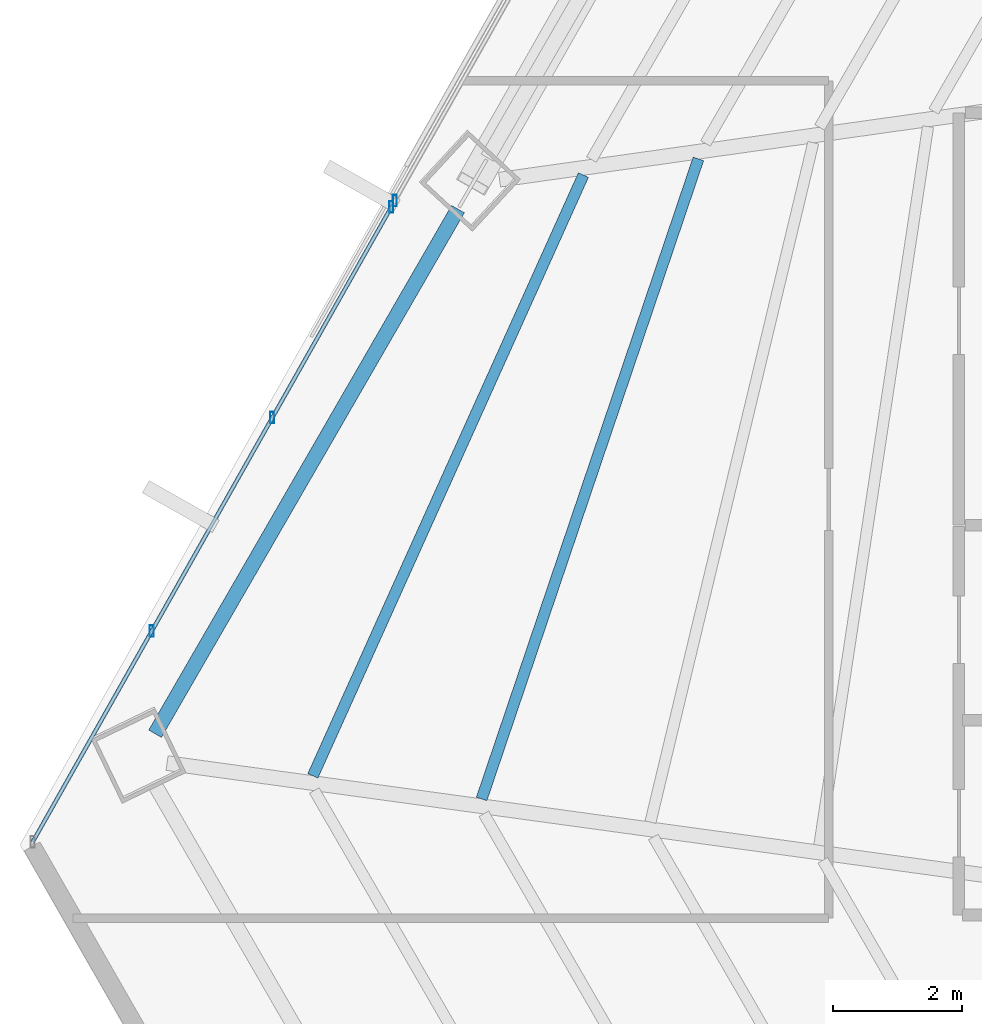
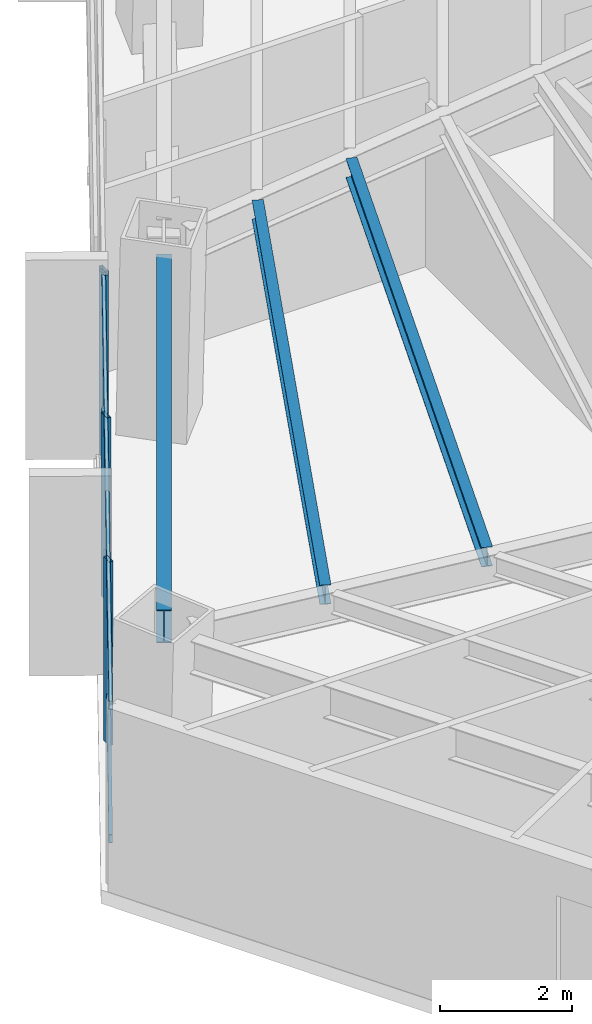
# One storey, part 11 of 35: 6 members, 3 beams, 2 elements without a shape of their own.
"""IFC4 building model written with IfcOpenShell, lengths in metres."""

import ifcopenshell
import ifcopenshell.guid

model = None  # the IFC model being written
_history = None  # IfcOwnerHistory: only IFC2X3 demands one
_inside = {}  # id of a spatial element -> (the spatial element, [elements in it])
_under = {}  # id of a project, library or spatial element -> (it, [spatial elements below it])
_declared = {}  # id of a project -> (the project, [libraries it declares])
_typed = {}  # id of a type object -> (the type object, [elements of that type])
_made_of = {}  # id of a material, layer set ... -> (it, [elements and type objects made of it])


def new_model(schema):
    """Start an empty IFC model of exactly this schema.

    Asked for "IFC4X3", IfcOpenShell would pick the latest addendum, in which some entities
    have other attributes; the version numbers below select the first issue.
    IFC2X3 requires an IfcOwnerHistory on every rooted entity: one is made here for all.
    """
    global model, _history
    if schema == "IFC4X3":
        model = ifcopenshell.file(schema_version=(4, 3, 0, 0))
    else:
        model = ifcopenshell.file(schema=schema)
    _inside.clear()
    _under.clear()
    _declared.clear()
    _typed.clear()
    _made_of.clear()
    _history = None
    if model.schema == "IFC2X3":
        org = make("IfcOrganization", Name="unknown")
        user = make(
            "IfcPersonAndOrganization",
            ThePerson=make("IfcPerson", FamilyName="unknown"),
            TheOrganization=org,
        )
        app = make(
            "IfcApplication",
            ApplicationDeveloper=org,
            Version="unknown",
            ApplicationFullName="unknown",
            ApplicationIdentifier="unknown",
        )
        _history = make(
            "IfcOwnerHistory",
            OwningUser=user,
            OwningApplication=app,
            ChangeAction="ADDED",
            CreationDate=0,
        )
    return model


def make(cls, **values):
    """One entity of the class cls with the attributes given. An attribute that is None is left unset."""
    return model.create_entity(
        cls, **{name: value for name, value in values.items() if value is not None}
    )


def rooted(cls, **values):
    """An entity with a GlobalId (a new one), such as an element, a storey or a relation."""
    return make(cls, GlobalId=ifcopenshell.guid.new(), OwnerHistory=_history, **values)


def si_unit(unit_type, name, prefix=None):
    """IfcSIUnit, for example si_unit("LENGTHUNIT", "METRE", prefix="MILLI")."""
    return make("IfcSIUnit", UnitType=unit_type, Prefix=prefix, Name=name)


def assignment(units):
    """IfcUnitAssignment: the units of a project."""
    return None if units is None else make("IfcUnitAssignment", Units=units)


def point(xyz):
    """IfcCartesianPoint."""
    return None if xyz is None else make("IfcCartesianPoint", Coordinates=xyz)


def direction(xyz):
    """IfcDirection."""
    return None if xyz is None else make("IfcDirection", DirectionRatios=xyz)


def frame(location, z_axis=None, x_axis=None):
    """IfcAxis2Placement3D, a coordinate frame: its origin and axes. An axis left out is left unset."""
    return make(
        "IfcAxis2Placement3D",
        Location=point(location),
        Axis=direction(z_axis),
        RefDirection=direction(x_axis),
    )


def frame_2d(location, x_axis=None):
    """IfcAxis2Placement2D, a coordinate frame in the plane: its origin and x axis."""
    return make(
        "IfcAxis2Placement2D", Location=point(location), RefDirection=direction(x_axis)
    )


def origin():
    """The frame at (0, 0, 0) with its axes left unset."""
    return frame((0.0, 0.0, 0.0))


def origin_2d():
    """The frame at (0, 0) in the plane with its x axis left unset."""
    return frame_2d((0.0, 0.0))


def place(relative_to, where):
    """IfcLocalPlacement: puts the frame where relative to a parent placement (None: the world)."""
    return make(
        "IfcLocalPlacement", PlacementRelTo=relative_to, RelativePlacement=where
    )


def context(
    kind, dimensions, precision=None, world=None, true_north=None, identifier=None
):
    """IfcGeometricRepresentationContext, for example the 3D "Model" context."""
    return make(
        "IfcGeometricRepresentationContext",
        ContextIdentifier=identifier,
        ContextType=kind,
        CoordinateSpaceDimension=dimensions,
        Precision=precision,
        WorldCoordinateSystem=world,
        TrueNorth=true_north,
    )


def subcontext(parent, identifier, kind, view, scale=None):
    """IfcGeometricRepresentationSubContext, for example "Body" below "Model"."""
    return make(
        "IfcGeometricRepresentationSubContext",
        ContextIdentifier=identifier,
        ContextType=kind,
        ParentContext=parent,
        TargetScale=scale,
        TargetView=view,
    )


def project(units=None, contexts=None):
    """IfcProject with its units and contexts."""
    return rooted(
        "IfcProject",
        Name="project",
        RepresentationContexts=contexts,
        UnitsInContext=assignment(units),
    )


def spatial(cls, under=None, at=None, **own):
    """A site, building, storey or space (cls), placed at a placement, below another one or the project."""
    s = rooted(cls, ObjectPlacement=at, **own)
    if under is not None:
        _under.setdefault(under.id(), (under, []))[1].append(s)
    return s


def profile(cls, at=None, kind="AREA", **sizes):
    """A parametric profile (cls). Its sizes go by their IFC names, for example OverallWidth=200.0."""
    return make(cls, ProfileType=kind, Position=at, **sizes)


def hollow_rectangle(**sizes):
    """IfcRectangleHollowProfileDef."""
    return profile("IfcRectangleHollowProfileDef", **sizes)


def i_section(**sizes):
    """IfcIShapeProfileDef."""
    return profile("IfcIShapeProfileDef", **sizes)


def extrude(swept, where, along, depth):
    """IfcExtrudedAreaSolid: the profile swept, set in the frame where, extruded along a direction by depth."""
    return make(
        "IfcExtrudedAreaSolid",
        SweptArea=swept,
        Position=where,
        ExtrudedDirection=direction(along),
        Depth=depth,
    )


def shape(context_of_items, identifier, shape_type, items):
    """IfcShapeRepresentation: the items that make up one representation, for example the "Body"."""
    return make(
        "IfcShapeRepresentation",
        ContextOfItems=context_of_items,
        RepresentationIdentifier=identifier,
        RepresentationType=shape_type,
        Items=items,
    )


def source(mapping_origin, context_of_items, identifier, shape_type, items):
    """IfcRepresentationMap: a shape defined once, which mapped items show again and again."""
    return make(
        "IfcRepresentationMap",
        MappingOrigin=mapping_origin,
        MappedRepresentation=shape(context_of_items, identifier, shape_type, items),
    )


def transform(
    local_origin,
    x_axis=None,
    y_axis=None,
    z_axis=None,
    scale=None,
    scale2=None,
    scale3=None,
    uniform=True,
):
    """IfcCartesianTransformationOperator3D, or its non-uniform kind. x_axis, y_axis, z_axis: its Axis1, 2, 3."""
    if uniform:
        return make(
            "IfcCartesianTransformationOperator3D",
            Axis1=direction(x_axis),
            Axis2=direction(y_axis),
            LocalOrigin=point(local_origin),
            Scale=scale,
            Axis3=direction(z_axis),
        )
    return make(
        "IfcCartesianTransformationOperator3DnonUniform",
        Axis1=direction(x_axis),
        Axis2=direction(y_axis),
        LocalOrigin=point(local_origin),
        Scale=scale,
        Axis3=direction(z_axis),
        Scale2=scale2,
        Scale3=scale3,
    )


def mapped(mapping_source, mapping_target):
    """IfcMappedItem: shows the shape of a source again, moved by a transform."""
    return make(
        "IfcMappedItem", MappingSource=mapping_source, MappingTarget=mapping_target
    )


def material(Name=None, Category=None):
    """IfcMaterial."""
    return make("IfcMaterial", Name=Name, Category=Category)


def material_profile(
    of_material, cross_section, Name=None, Category=None, Priority=None
):
    """IfcMaterialProfile: a cross section and its material."""
    return make(
        "IfcMaterialProfile",
        Name=Name,
        Material=of_material,
        Profile=cross_section,
        Priority=Priority,
        Category=Category,
    )


def profile_set(profiles, Name=None, composite=None):
    """IfcMaterialProfileSet."""
    return make(
        "IfcMaterialProfileSet",
        Name=Name,
        MaterialProfiles=profiles,
        CompositeProfile=composite,
    )


def made_of(thing, what):
    """Note that an element or type object is made of a material, layer set ...; save() writes the relation."""
    if what is not None:
        _made_of.setdefault(what.id(), (what, []))[1].append(thing)
    return thing


def type_object(cls, material=None, **own):
    """A type object (cls), such as IfcWallType, which elements share."""
    return made_of(rooted(cls, **own), material)


def type_shapes(of_type, sources):
    """Give a type object the sources (RepresentationMaps) that its elements show as mapped items."""
    of_type.RepresentationMaps = sources


def element(
    cls,
    number,
    at=None,
    inside=None,
    cuts=None,
    type_object=None,
    material=None,
    context=None,
    identifier="Body",
    shape_type=None,
    held_by="IfcProductDefinitionShape",
    body=None,
    shapes=None,
    **own,
):
    """One element of the class cls, such as IfcWall. Its Tag is "e" and its number.

    at: its placement. inside: the storey or other place that contains it. cuts: it is an
    opening in that element (IfcRelVoidsElement). A single representation is given by context,
    identifier, shape_type and body (its items); several are given by shapes. held_by: the class
    of the entity that holds the representations. save() writes the other relations.
    """
    e = rooted(cls, Tag="e%d" % number, ObjectPlacement=at, **own)
    if body is not None:
        shapes = [shape(context, identifier, shape_type, body)]
    if shapes is not None:
        e.Representation = make(held_by, Representations=shapes)
    if inside is not None:
        _inside.setdefault(inside.id(), (inside, []))[1].append(e)
    if cuts is not None:
        rooted(
            "IfcRelVoidsElement", RelatingBuildingElement=cuts, RelatedOpeningElement=e
        )
    if type_object is not None:
        _typed.setdefault(type_object.id(), (type_object, []))[1].append(e)
    return made_of(e, material)


def aggregate(whole, parts):
    """IfcRelAggregates: a whole, such as a stair, and the parts it consists of."""
    return rooted("IfcRelAggregates", RelatingObject=whole, RelatedObjects=parts)


def save(model, path):
    """Write the relations noted so far, then the file.

    IfcRelAggregates (storeys below a building ...), IfcRelContainedInSpatialStructure (elements
    in a storey), IfcRelDefinesByType, IfcRelAssociatesMaterial and IfcRelDeclares: one each for
    every whole, place, type object, material and project.
    """
    for whole, parts in _under.values():
        aggregate(whole, parts)
    for where, things in _inside.values():
        rooted(
            "IfcRelContainedInSpatialStructure",
            RelatedElements=things,
            RelatingStructure=where,
        )
    for kind, things in _typed.values():
        rooted("IfcRelDefinesByType", RelatedObjects=things, RelatingType=kind)
    for what, things in _made_of.values():
        rooted("IfcRelAssociatesMaterial", RelatedObjects=things, RelatingMaterial=what)
    for by, libraries in _declared.values():
        rooted("IfcRelDeclares", RelatingContext=by, RelatedDefinitions=libraries)
    model.write(path)


model = new_model("IFC4")

# Units and contexts
model_context = context("Model", 3, precision=1e-05, world=origin(), true_north=direction((0.0, 1.0)))
body_context = subcontext(model_context, "Body", "Model", "MODEL_VIEW")
ifc_project = project(units=[si_unit("LENGTHUNIT", "METRE"), si_unit("AREAUNIT", "SQUARE_METRE"), si_unit("VOLUMEUNIT", "CUBIC_METRE"), si_unit("PLANEANGLEUNIT", "RADIAN"), si_unit("MASSUNIT", "GRAM", prefix="KILO")], contexts=[model_context])

# Site, building, storey
site_placement = place(None, origin())
site = spatial("IfcSite", under=ifc_project, at=site_placement, CompositionType="ELEMENT")
building_placement = place(site_placement, origin())
building = spatial("IfcBuilding", under=site, at=building_placement, Name="Caelisora Broadcast Tower", CompositionType="ELEMENT")
storey_placement = place(building_placement, frame((0.0, 0.0, 87.14990234375)))
storey = spatial("IfcBuildingStorey", under=building, at=storey_placement, Name="L22", CompositionType="ELEMENT", Elevation=87.14990234375)

# Beams
ifc_material_1 = material(Name="Steel Grade 350 (AS/NZS 3679.1)", Category="steel")
ifc_material_profile_1 = material_profile(ifc_material_1, i_section(OverallWidth=0.22900390625, OverallDepth=0.611572265625, WebThickness=0.011962890625, FlangeThickness=0.01953125, at=origin_2d()), Name="Steel Grade 350 (AS/NZS 3679.1)")
ifc_profile_set_1 = profile_set([ifc_material_profile_1], Name="Steel Grade 350 (AS/NZS 3679.1)")
beam_type_1 = type_object("IfcBeamType", Name="PG03", PredefinedType="BEAM", material=ifc_profile_set_1)
shared_shape_1 = source(origin(), body_context, "Body", "SweptSolid", [
    extrude(i_section(OverallWidth=0.22900390625, OverallDepth=0.611572265625, WebThickness=0.011962890625, FlangeThickness=0.01953125, at=origin_2d()), origin(), (0.0, 0.0, 1.0), 9.40234375),
])
type_shapes(beam_type_1, [shared_shape_1])
beam_1_placement = place(storey_placement, frame((19.645751953125, 28.10595703125, 3.09423828125), z_axis=(-0.500004164094, -0.86602299963, 0.0), x_axis=(0.86602299963, -0.500004164094, 0.0)))
element("IfcBeam", 1, at=beam_1_placement, inside=storey, type_object=beam_type_1, Name="L22 beam PG03", PredefinedType="BEAM", context=body_context, shape_type="MappedRepresentation", body=[
    mapped(shared_shape_1, transform((0.0, 0.0, 0.0), scale=1.0)),
])
ifc_material_profile_2 = material_profile(ifc_material_1, i_section(OverallWidth=0.172119140625, OverallDepth=0.358642578125, WebThickness=0.008056640625, FlangeThickness=0.012939453125, at=origin_2d()), Name="Steel Grade 350 (AS/NZS 3679.1)")
ifc_profile_set_2 = profile_set([ifc_material_profile_2], Name="Steel Grade 350 (AS/NZS 3679.1)")
beam_type_2 = type_object("IfcBeamType", Name="SB02", PredefinedType="JOIST", material=ifc_profile_set_2)
shared_shape_2 = source(origin(), body_context, "Body", "SweptSolid", [
    extrude(i_section(OverallWidth=0.172119140625, OverallDepth=0.358642578125, WebThickness=0.008056640625, FlangeThickness=0.012939453125, at=origin_2d()), origin(), (0.0, 0.0, 1.0), 10.48876953125),
])
beam_2_placement = place(storey_placement, frame((23.377197265625, 28.885009765625, 3.220703125), z_axis=(-0.32076998699, -0.947157122893, 0.0), x_axis=(0.947157122893, -0.32076998699, 0.0)))
element("IfcBeam", 2, at=beam_2_placement, inside=storey, type_object=beam_type_2, Name="L22 beam SB02", PredefinedType="JOIST", context=body_context, shape_type="MappedRepresentation", body=[
    mapped(shared_shape_2, transform((0.0, 0.0, 0.0), scale=1.0)),
])
shared_shape_3 = source(origin(), body_context, "Body", "SweptSolid", [
    extrude(i_section(OverallWidth=0.172119140625, OverallDepth=0.358642578125, WebThickness=0.008056640625, FlangeThickness=0.012939453125, at=origin_2d()), origin(), (0.0, 0.0, 1.0), 10.2255859375),
])
type_shapes(beam_type_2, [shared_shape_2, shared_shape_3])
beam_3_placement = place(storey_placement, frame((21.59228515625, 28.633544921875, 3.220703125), z_axis=(-0.410632699237, -0.911800847947, 0.0), x_axis=(0.911800847947, -0.410632699237, 0.0)))
element("IfcBeam", 3, at=beam_3_placement, inside=storey, type_object=beam_type_2, Name="L22 beam SB02", PredefinedType="JOIST", context=body_context, shape_type="MappedRepresentation", body=[
    mapped(shared_shape_3, transform((0.0, 0.0, 0.0), scale=1.0)),
])

# Curtain wall, members
ifc_material_2 = material(Name="Unitised Aluminium and Low-E Glass Curtain Wall", Category="glass")
curtain_wall_type_1 = type_object("IfcCurtainWallType", Name="CW-Z2", PredefinedType="NOTDEFINED", material=ifc_material_2)
curtain_wall_1_placement = place(storey_placement, origin())
curtain_wall_1 = element("IfcCurtainWall", 4, at=curtain_wall_1_placement, inside=storey, type_object=curtain_wall_type_1, Name="L22 curtain wall CW-Z2", PredefinedType="NOTDEFINED")
ifc_material_3 = material(Name="Aluminium 6063-T6 Anodised Terracotta Bronze", Category="aluminium")
ifc_material_profile_3 = material_profile(ifc_material_3, hollow_rectangle(XDim=0.06494140625, YDim=0.179931640625, WallThickness=0.00341796875, at=origin_2d()), Name="Aluminium 6063-T6 Anodised Terracotta Bronze")
ifc_profile_set_3 = profile_set([ifc_material_profile_3], Name="Aluminium 6063-T6 Anodised Terracotta Bronze")
member_type_1 = type_object("IfcMemberType", Name="CWM-02", PredefinedType="MULLION", material=ifc_profile_set_3)
shared_shape_4 = source(origin(), body_context, "Body", "SweptSolid", [
    extrude(hollow_rectangle(XDim=0.06494140625, YDim=0.179931640625, WallThickness=0.00341796875, at=origin_2d()), origin(), (0.0, 0.0, 1.0), 3.400146484375),
])
type_shapes(member_type_1, [shared_shape_4])
member_1_placement = place(storey_placement, frame((14.89306640625, 21.555419921875, 0.0), z_axis=(0.0, 0.0, 1.0), x_axis=(1.0, 0.0, 0.0)))
member_1 = element("IfcMember", 5, at=member_1_placement, type_object=member_type_1, Name="L22-CW-B09 mullion #1", PredefinedType="MULLION", context=body_context, shape_type="MappedRepresentation", body=[
    mapped(shared_shape_4, transform((0.0, 0.0, 0.0), scale=1.0)),
])
member_2_placement = place(storey_placement, frame((16.764892578125, 24.869873046875, 0.0), z_axis=(0.0, 0.0, 1.0), x_axis=(1.0, 0.0, 0.0)))
member_2 = element("IfcMember", 6, at=member_2_placement, type_object=member_type_1, Name="L22-CW-B09 mullion #2", PredefinedType="MULLION", context=body_context, shape_type="MappedRepresentation", body=[
    mapped(shared_shape_4, transform((0.0, 0.0, 0.0), scale=1.0)),
])
member_3_placement = place(storey_placement, frame((18.6123046875, 28.140869140625, 0.0), z_axis=(0.0, 0.0, 1.0), x_axis=(1.0, 0.0, 0.0)))
member_3 = element("IfcMember", 7, at=member_3_placement, type_object=member_type_1, Name="L22-CW-B09 mullion #3", PredefinedType="MULLION", context=body_context, shape_type="MappedRepresentation", body=[
    mapped(shared_shape_4, transform((0.0, 0.0, 0.0), scale=1.0)),
])

# Curtain wall, member
ifc_material_4 = material(Name="Unitised Aluminium Insulated Shadow-Box Spandrel Curtain Wall", Category="aluminium")
curtain_wall_type_2 = type_object("IfcCurtainWallType", Name="CW-SP1", PredefinedType="NOTDEFINED", material=ifc_material_4)
curtain_wall_2_placement = place(storey_placement, origin())
curtain_wall_2 = element("IfcCurtainWall", 8, at=curtain_wall_2_placement, inside=storey, type_object=curtain_wall_type_2, Name="L22 curtain wall CW-SP1", PredefinedType="NOTDEFINED")
member_4_placement = place(storey_placement, frame((18.66650390625, 28.236572265625, 0.0), z_axis=(0.0, 0.0, 1.0), x_axis=(1.0, 0.0, 0.0)))
member_4 = element("IfcMember", 9, at=member_4_placement, type_object=member_type_1, Name="L22-CW-B10 mullion #0", PredefinedType="MULLION", context=body_context, shape_type="MappedRepresentation", body=[
    mapped(shared_shape_4, transform((0.0, 0.0, 0.0), scale=1.0)),
])
aggregate(curtain_wall_2, [member_4])

# Member
ifc_material_profile_4 = material_profile(ifc_material_3, hollow_rectangle(XDim=0.06005859375, YDim=0.14990234375, WallThickness=0.00341796875, at=origin_2d()), Name="Aluminium 6063-T6 Anodised Terracotta Bronze")
ifc_profile_set_4 = profile_set([ifc_material_profile_4], Name="Aluminium 6063-T6 Anodised Terracotta Bronze")
member_type_2 = type_object("IfcMemberType", Name="CWT-02", PredefinedType="USERDEFINED", material=ifc_profile_set_4)
shared_shape_5 = source(origin(), body_context, "Body", "SweptSolid", [
    extrude(hollow_rectangle(XDim=0.06005859375, YDim=0.14990234375, WallThickness=0.00341796875, at=origin_2d()), origin(), (0.0, 0.0, 1.0), 11.31982421875),
])
type_shapes(member_type_2, [shared_shape_5])
member_5_placement = place(storey_placement, frame((13.045654296875, 18.284423828125, 0.85009765625), z_axis=(0.491763717248, 0.870728687019, 0.0), x_axis=(-0.870728687019, 0.491763717248, 0.0)))
member_5 = element("IfcMember", 10, at=member_5_placement, type_object=member_type_2, Name="L22-CW-B09 transom #1", ObjectType="TRANSOM", PredefinedType="USERDEFINED", context=body_context, shape_type="MappedRepresentation", body=[
    mapped(shared_shape_5, transform((0.0, 0.0, 0.0), scale=1.0)),
])

member_6_placement = place(storey_placement, frame((13.045654296875, 18.284423828125, 3.320068359375), z_axis=(0.491763717248, 0.870728687019, 0.0), x_axis=(-0.870728687019, 0.491763717248, 0.0)))
member_6 = element("IfcMember", 11, at=member_6_placement, type_object=member_type_2, Name="L22-CW-B09 transom #2", ObjectType="TRANSOM", PredefinedType="USERDEFINED", context=body_context, shape_type="MappedRepresentation", body=[
    mapped(shared_shape_5, transform((0.0, 0.0, 0.0), scale=1.0)),
])

aggregate(curtain_wall_1, [member_1, member_2, member_3, member_5, member_6])

save(model, "model.ifc")
